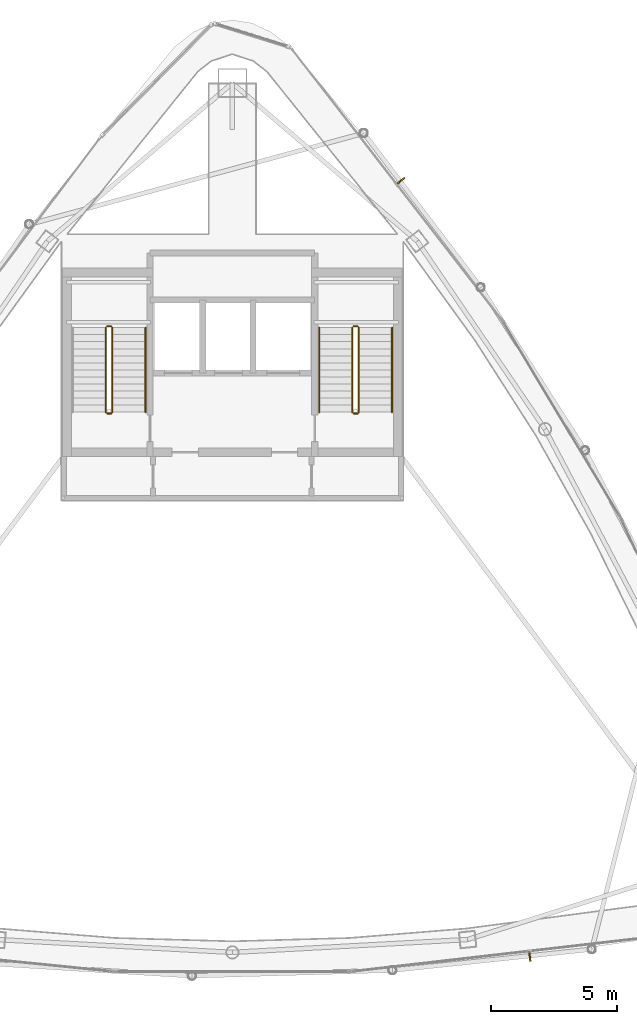
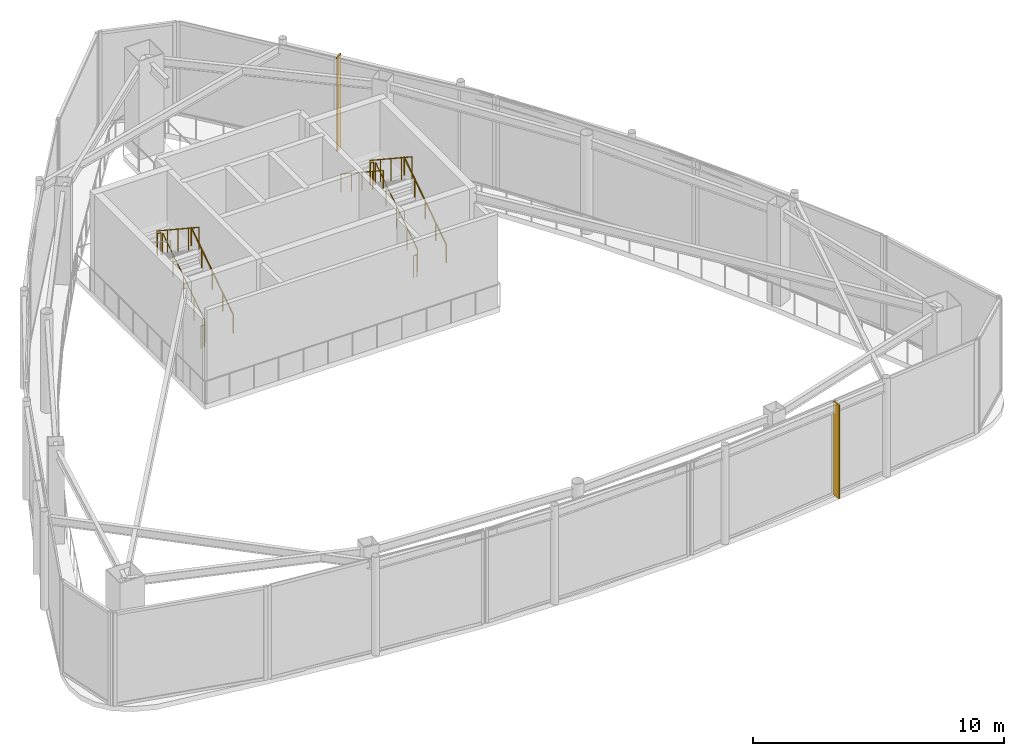
# One storey, part 18 of 19: 11 railings, 2 shading devices.
"""IFC4 building model written with IfcOpenShell, lengths in metres."""

from ifc_helpers import new_model, si_unit, direction, frame, origin, origin_2d, place, context, subcontext, project, spatial, rectangle, circle, extrude, material, layer, layer_set, type_object, element, save


model = new_model("IFC4")

# Units and contexts
model_context = context("Model", 3, precision=1e-05, world=origin(), true_north=direction((0.0, 1.0)))
body_context = subcontext(model_context, "Body", "Model", "MODEL_VIEW")
ifc_project = project(units=[si_unit("LENGTHUNIT", "METRE"), si_unit("AREAUNIT", "SQUARE_METRE"), si_unit("VOLUMEUNIT", "CUBIC_METRE"), si_unit("PLANEANGLEUNIT", "RADIAN"), si_unit("MASSUNIT", "GRAM", prefix="KILO")], contexts=[model_context])

# Site, building, storey
site_placement = place(None, origin())
site = spatial("IfcSite", under=ifc_project, at=site_placement, CompositionType="ELEMENT")
building_placement = place(site_placement, origin())
building = spatial("IfcBuilding", under=site, at=building_placement, Name="Orvanel Arch Residences", CompositionType="ELEMENT")
storey_placement = place(building_placement, frame((0.0, 0.0, 286.10009765625)))
storey = spatial("IfcBuildingStorey", under=building, at=storey_placement, Name="L81", CompositionType="ELEMENT", Elevation=286.10009765625)

# Shading devices
ifc_material_1 = material(Name="Bronze-anodised aluminium AA6063-T6", Category="aluminium")
ifc_layer = layer(ifc_material_1, 0.06005859375)
ifc_layer_set = layer_set([ifc_layer], Name="Bronze-anodised aluminium AA6063-T6")
shading_device_type = type_object("IfcShadingDeviceType", Name="FIN-BRZ-380", PredefinedType="USERDEFINED", material=ifc_layer_set)
for number, where, z_axis, x_axis, name in (
    (1, (44.826904296875, 6.674072265625, 0.0), (0.0, 0.0, 1.0), (0.114937150493, -0.9933727656, 0.0), "L81 Anodised Bronze Mullion FIN 01"),
    (2, (39.702880859375, 37.51904296875, 0.0), (0.0, 0.0, 1.0), (0.790155012376, 0.612907053653, 0.0), "L81 Anodised Bronze Mullion FIN 01"),
):
    element("IfcShadingDevice", number, at=place(storey_placement, frame(where, z_axis=z_axis, x_axis=x_axis)), inside=storey, type_object=shading_device_type, Name=name, ObjectType="FIN", PredefinedType="USERDEFINED", context=body_context, shape_type="SweptSolid", body=[
        extrude(rectangle(XDim=0.3798828125, YDim=0.06005859375, at=origin_2d()), origin(), (0.0, 0.0, 1.0), 4.550048828125),
    ])

# Railings
ifc_material_2 = material(Name="Structural steel AS/NZS 1163 C350L0 (Grade 350)", Category="steel")
railing_type_1 = type_object("IfcRailingType", Name="RL-STAIR-GUARD", PredefinedType="GUARDRAIL", material=ifc_material_2)
railing_1_placement = place(storey_placement, frame((28.22998046875, 28.320068359375, 0.1845703125)))
element("IfcRailing", 3, at=railing_1_placement, inside=storey, type_object=railing_type_1, Name="L81 ST-1 stair guard 1", PredefinedType="GUARDRAIL", context=body_context, shape_type="SweptSolid", body=[
    extrude(circle(Radius=0.02392578125, at=origin_2d()), frame((0.0, 0.001220703125, 1.076904296875), z_axis=(0.0, 0.834858096282, 0.550465220583), x_axis=(-1.0, 0.0, 0.0)), (0.0, 0.0, 1.0), 4.021484375),
    extrude(circle(Radius=0.02099609375, at=origin_2d()), origin(), (0.0, 0.0, 1.0), 1.050048828125),
    extrude(circle(Radius=0.02099609375, at=origin_2d()), frame((0.0, 0.83984375, 0.5537109375)), (0.0, 0.0, 1.0), 1.050048828125),
    extrude(circle(Radius=0.02099609375, at=origin_2d()), frame((0.0, 1.679931640625, 1.107666015625)), (0.0, 0.0, 1.0), 1.050048828125),
    extrude(circle(Radius=0.02099609375, at=origin_2d()), frame((0.0, 2.52001953125, 1.66162109375)), (0.0, 0.0, 1.0), 1.050048828125),
    extrude(circle(Radius=0.02099609375, at=origin_2d()), frame((0.0, 3.35986328125, 2.21533203125)), (0.0, 0.0, 1.0), 1.050048828125),
])
railing_2_placement = place(storey_placement, frame((28.179931640625, 31.72998046875, 2.39990234375)))
element("IfcRailing", 4, at=railing_2_placement, inside=storey, type_object=railing_type_1, Name="L81 ST-1 stair guard 2", PredefinedType="GUARDRAIL", context=body_context, shape_type="SweptSolid", body=[
    extrude(circle(Radius=0.02392578125, at=origin_2d()), frame((-0.00146484375, 0.0, 1.076171875), z_axis=(-1.0, 0.0, 0.0), x_axis=(0.0, -1.0, 0.0)), (0.0, 0.0, 1.0), 0.156982421875),
    extrude(circle(Radius=0.02099609375, at=origin_2d()), origin(), (0.0, 0.0, 1.0), 1.050048828125),
    extrude(circle(Radius=0.02099609375, at=origin_2d()), frame((-0.159912109375, 0.0, 0.0)), (0.0, 0.0, 1.0), 1.050048828125),
])
railing_3_placement = place(storey_placement, frame((27.969970703125, 31.679931640625, 2.58447265625)))
element("IfcRailing", 5, at=railing_3_placement, inside=storey, type_object=railing_type_1, Name="L81 ST-1 stair guard 3", PredefinedType="GUARDRAIL", context=body_context, shape_type="SweptSolid", body=[
    extrude(circle(Radius=0.02392578125, at=origin_2d()), frame((0.0, -0.001220703125, 1.076904296875), z_axis=(0.0, -0.834858096282, 0.550465220583), x_axis=(1.0, 0.0, 0.0)), (0.0, 0.0, 1.0), 4.021484375),
    extrude(circle(Radius=0.02099609375, at=origin_2d()), origin(), (0.0, 0.0, 1.0), 1.050048828125),
    extrude(circle(Radius=0.02099609375, at=origin_2d()), frame((0.0, -0.83984375, 0.5537109375)), (0.0, 0.0, 1.0), 1.050048828125),
    extrude(circle(Radius=0.02099609375, at=origin_2d()), frame((0.0, -1.679931640625, 1.107666015625)), (0.0, 0.0, 1.0), 1.050048828125),
    extrude(circle(Radius=0.02099609375, at=origin_2d()), frame((0.0, -2.52001953125, 1.66162109375)), (0.0, 0.0, 1.0), 1.050048828125),
    extrude(circle(Radius=0.02099609375, at=origin_2d()), frame((0.0, -3.35986328125, 2.21533203125)), (0.0, 0.0, 1.0), 1.050048828125),
])
railing_4_placement = place(storey_placement, frame((28.179931640625, 28.27001953125, 0.0)))
element("IfcRailing", 6, at=railing_4_placement, inside=storey, type_object=railing_type_1, Name="L81 ST-1 stair guard 4", PredefinedType="GUARDRAIL", context=body_context, shape_type="SweptSolid", body=[
    extrude(circle(Radius=0.02392578125, at=origin_2d()), frame((-0.00146484375, 0.0, 1.076171875), z_axis=(-1.0, 0.0, 0.0), x_axis=(0.0, -1.0, 0.0)), (0.0, 0.0, 1.0), 0.156982421875),
    extrude(circle(Radius=0.02099609375, at=origin_2d()), origin(), (0.0, 0.0, 1.0), 1.050048828125),
    extrude(circle(Radius=0.02099609375, at=origin_2d()), frame((-0.159912109375, 0.0, 0.0)), (0.0, 0.0, 1.0), 1.050048828125),
])
railing_5_placement = place(storey_placement, frame((38.030029296875, 28.320068359375, 0.1845703125)))
element("IfcRailing", 7, at=railing_5_placement, inside=storey, type_object=railing_type_1, Name="L81 ST-2 stair guard 1", PredefinedType="GUARDRAIL", context=body_context, shape_type="SweptSolid", body=[
    extrude(circle(Radius=0.02392578125, at=origin_2d()), frame((0.0, 0.001220703125, 1.076904296875), z_axis=(0.0, 0.834858096282, 0.550465220583), x_axis=(-1.0, 0.0, 0.0)), (0.0, 0.0, 1.0), 4.021484375),
    extrude(circle(Radius=0.02099609375, at=origin_2d()), origin(), (0.0, 0.0, 1.0), 1.050048828125),
    extrude(circle(Radius=0.02099609375, at=origin_2d()), frame((0.0, 0.83984375, 0.5537109375)), (0.0, 0.0, 1.0), 1.050048828125),
    extrude(circle(Radius=0.02099609375, at=origin_2d()), frame((0.0, 1.679931640625, 1.107666015625)), (0.0, 0.0, 1.0), 1.050048828125),
    extrude(circle(Radius=0.02099609375, at=origin_2d()), frame((0.0, 2.52001953125, 1.66162109375)), (0.0, 0.0, 1.0), 1.050048828125),
    extrude(circle(Radius=0.02099609375, at=origin_2d()), frame((0.0, 3.35986328125, 2.21533203125)), (0.0, 0.0, 1.0), 1.050048828125),
])
railing_6_placement = place(storey_placement, frame((37.97998046875, 31.72998046875, 2.39990234375)))
element("IfcRailing", 8, at=railing_6_placement, inside=storey, type_object=railing_type_1, Name="L81 ST-2 stair guard 2", PredefinedType="GUARDRAIL", context=body_context, shape_type="SweptSolid", body=[
    extrude(circle(Radius=0.02392578125, at=origin_2d()), frame((-0.00146484375, 0.0, 1.076171875), z_axis=(-1.0, 0.0, 0.0), x_axis=(0.0, -1.0, 0.0)), (0.0, 0.0, 1.0), 0.156982421875),
    extrude(circle(Radius=0.02099609375, at=origin_2d()), origin(), (0.0, 0.0, 1.0), 1.050048828125),
    extrude(circle(Radius=0.02099609375, at=origin_2d()), frame((-0.159912109375, 0.0, 0.0)), (0.0, 0.0, 1.0), 1.050048828125),
])
railing_7_placement = place(storey_placement, frame((37.77001953125, 31.679931640625, 2.58447265625)))
element("IfcRailing", 9, at=railing_7_placement, inside=storey, type_object=railing_type_1, Name="L81 ST-2 stair guard 3", PredefinedType="GUARDRAIL", context=body_context, shape_type="SweptSolid", body=[
    extrude(circle(Radius=0.02392578125, at=origin_2d()), frame((0.0, -0.001220703125, 1.076904296875), z_axis=(0.0, -0.834858096282, 0.550465220583), x_axis=(1.0, 0.0, 0.0)), (0.0, 0.0, 1.0), 4.021484375),
    extrude(circle(Radius=0.02099609375, at=origin_2d()), origin(), (0.0, 0.0, 1.0), 1.050048828125),
    extrude(circle(Radius=0.02099609375, at=origin_2d()), frame((0.0, -0.83984375, 0.5537109375)), (0.0, 0.0, 1.0), 1.050048828125),
    extrude(circle(Radius=0.02099609375, at=origin_2d()), frame((0.0, -1.679931640625, 1.107666015625)), (0.0, 0.0, 1.0), 1.050048828125),
    extrude(circle(Radius=0.02099609375, at=origin_2d()), frame((0.0, -2.52001953125, 1.66162109375)), (0.0, 0.0, 1.0), 1.050048828125),
    extrude(circle(Radius=0.02099609375, at=origin_2d()), frame((0.0, -3.35986328125, 2.21533203125)), (0.0, 0.0, 1.0), 1.050048828125),
])
railing_8_placement = place(storey_placement, frame((37.97998046875, 28.27001953125, 0.0)))
element("IfcRailing", 10, at=railing_8_placement, inside=storey, type_object=railing_type_1, Name="L81 ST-2 stair guard 4", PredefinedType="GUARDRAIL", context=body_context, shape_type="SweptSolid", body=[
    extrude(circle(Radius=0.02392578125, at=origin_2d()), frame((-0.00146484375, 0.0, 1.076171875), z_axis=(-1.0, 0.0, 0.0), x_axis=(0.0, -1.0, 0.0)), (0.0, 0.0, 1.0), 0.156982421875),
    extrude(circle(Radius=0.02099609375, at=origin_2d()), origin(), (0.0, 0.0, 1.0), 1.050048828125),
    extrude(circle(Radius=0.02099609375, at=origin_2d()), frame((-0.159912109375, 0.0, 0.0)), (0.0, 0.0, 1.0), 1.050048828125),
])
railing_type_2 = type_object("IfcRailingType", Name="RL-STAIR-HAND", PredefinedType="HANDRAIL", material=ifc_material_2)
for number, where, name in (
    (11, (29.550048828125, 28.320068359375, 0.1845703125), "L81 ST-1 stair handrail 1"),
    (12, (39.35009765625, 28.320068359375, 0.1845703125), "L81 ST-2 stair handrail 1"),
):
    element("IfcRailing", number, at=place(storey_placement, frame(where)), inside=storey, type_object=railing_type_2, Name=name, PredefinedType="HANDRAIL", context=body_context, shape_type="SweptSolid", body=[
        extrude(circle(Radius=0.02392578125, at=origin_2d()), frame((0.0, 0.001220703125, 0.876708984375), z_axis=(0.0, 0.834858096282, 0.550465220583), x_axis=(-1.0, 0.0, 0.0)), (0.0, 0.0, 1.0), 4.021484375),
        extrude(circle(Radius=0.02099609375, at=origin_2d()), origin(), (0.0, 0.0, 1.0), 0.849853515625),
        extrude(circle(Radius=0.02099609375, at=origin_2d()), frame((0.0, 0.83984375, 0.5537109375)), (0.0, 0.0, 1.0), 0.849853515625),
        extrude(circle(Radius=0.02099609375, at=origin_2d()), frame((0.0, 1.679931640625, 1.107666015625)), (0.0, 0.0, 1.0), 0.849853515625),
        extrude(circle(Radius=0.02099609375, at=origin_2d()), frame((0.0, 2.52001953125, 1.66162109375)), (0.0, 0.0, 1.0), 0.849853515625),
        extrude(circle(Radius=0.02099609375, at=origin_2d()), frame((0.0, 3.35986328125, 2.21533203125)), (0.0, 0.0, 1.0), 0.849853515625),
    ])
railing_9_placement = place(storey_placement, frame((36.449951171875, 31.679931640625, 2.58447265625)))
element("IfcRailing", 13, at=railing_9_placement, inside=storey, type_object=railing_type_2, Name="L81 ST-2 stair handrail 2", PredefinedType="HANDRAIL", context=body_context, shape_type="SweptSolid", body=[
    extrude(circle(Radius=0.02392578125, at=origin_2d()), frame((0.0, -0.001220703125, 0.876708984375), z_axis=(0.0, -0.834858096282, 0.550465220583), x_axis=(1.0, 0.0, 0.0)), (0.0, 0.0, 1.0), 4.021484375),
    extrude(circle(Radius=0.02099609375, at=origin_2d()), origin(), (0.0, 0.0, 1.0), 0.849853515625),
    extrude(circle(Radius=0.02099609375, at=origin_2d()), frame((0.0, -0.83984375, 0.5537109375)), (0.0, 0.0, 1.0), 0.849853515625),
    extrude(circle(Radius=0.02099609375, at=origin_2d()), frame((0.0, -1.679931640625, 1.107666015625)), (0.0, 0.0, 1.0), 0.849853515625),
    extrude(circle(Radius=0.02099609375, at=origin_2d()), frame((0.0, -2.52001953125, 1.66162109375)), (0.0, 0.0, 1.0), 0.849853515625),
    extrude(circle(Radius=0.02099609375, at=origin_2d()), frame((0.0, -3.35986328125, 2.21533203125)), (0.0, 0.0, 1.0), 0.849853515625),
])

save(model, "model.ifc")
